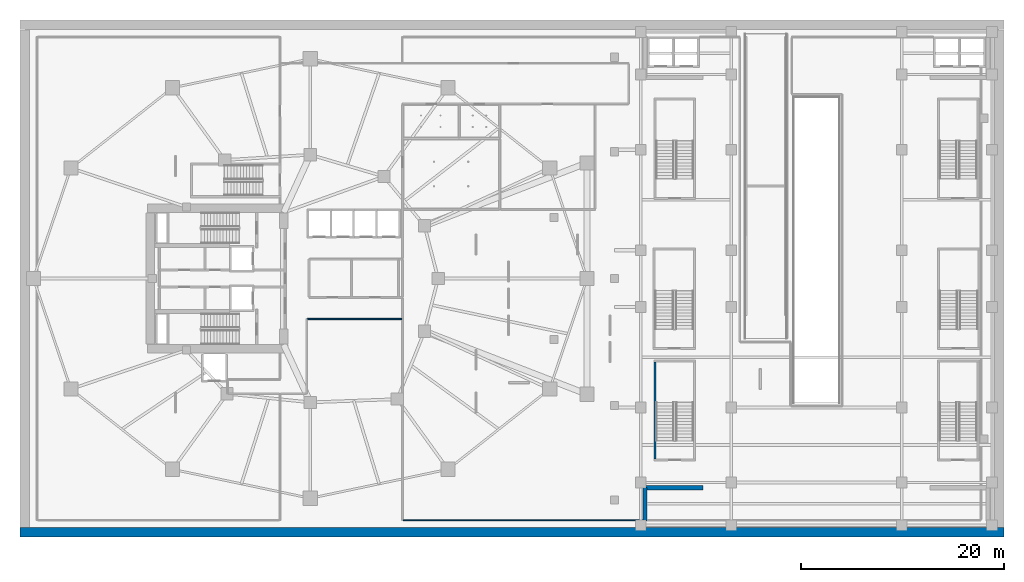
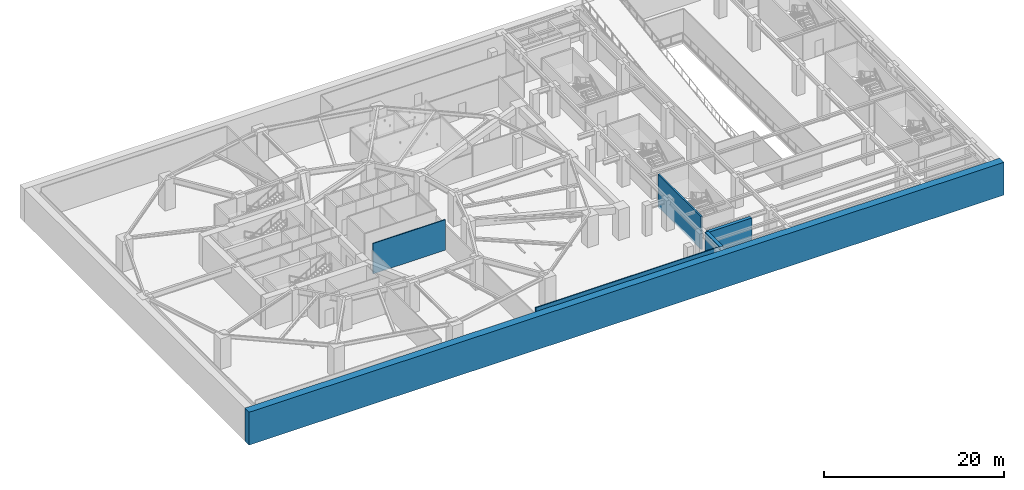
# One storey, part 6 of 16: 6 walls.
"""IFC4 building model written with IfcOpenShell, lengths in metres."""

from ifc_helpers import new_model, si_unit, direction, frame, frame_2d, origin, place, context, subcontext, project, spatial, rectangle, extrude, material, layer, layer_set, type_object, element, save


model = new_model("IFC4")

# Units and contexts
model_context = context("Model", 3, precision=1e-05, world=origin(), true_north=direction((0.0, 1.0)))
body_context = subcontext(model_context, "Body", "Model", "MODEL_VIEW")
ifc_project = project(units=[si_unit("LENGTHUNIT", "METRE"), si_unit("AREAUNIT", "SQUARE_METRE"), si_unit("VOLUMEUNIT", "CUBIC_METRE"), si_unit("PLANEANGLEUNIT", "RADIAN"), si_unit("MASSUNIT", "GRAM", prefix="KILO")], contexts=[model_context])

# Site, building, storey
site_placement = place(None, origin())
site = spatial("IfcSite", under=ifc_project, at=site_placement, CompositionType="ELEMENT")
building_placement = place(site_placement, origin())
building = spatial("IfcBuilding", under=site, at=building_placement, Name="Kolvaren Gate Tower and Convention Centre", CompositionType="ELEMENT")
storey_placement = place(building_placement, frame((0.0, 0.0, -4.5)))
storey = spatial("IfcBuildingStorey", under=building, at=storey_placement, Name="B1", CompositionType="ELEMENT", Elevation=-4.5)

# Walls
ifc_material_1 = material(Name="Fire-Rated Acoustic Gypsum Stud Partition", Category="gypsum")
ifc_layer_1 = layer(ifc_material_1, 0.1201171875)
ifc_layer_set_1 = layer_set([ifc_layer_1], Name="Fire-Rated Acoustic Gypsum Stud Partition")
wall_type_1 = type_object("IfcWallType", Name="ARCH-WL-PART-120", PredefinedType="PARTITIONING", material=ifc_layer_set_1)
wall_1_placement = place(storey_placement, frame((29.842041015625, 23.02001953125, 0.0), z_axis=(0.0, 0.0, 1.0), x_axis=(1.0, 0.0, 0.0)))
element("IfcWall", 1, at=wall_1_placement, inside=storey, type_object=wall_type_1, Name="Interior Partition WL-B1-INT-026", PredefinedType="PARTITIONING", context=body_context, shape_type="SweptSolid", body=[
    extrude(rectangle(XDim=9.281005859375, YDim=0.1201171875, at=frame_2d((4.640625, 0.0))), origin(), (0.0, 0.0, 1.0), 4.139892578125),
])
wall_2_placement = place(storey_placement, frame((39.277099609375, 3.199951171875, 0.0), z_axis=(0.0, 0.0, 1.0), x_axis=(1.0, 0.0, 0.0)))
element("IfcWall", 2, at=wall_2_placement, inside=storey, type_object=wall_type_1, Name="Interior Partition WL-B1-INT-034", PredefinedType="PARTITIONING", context=body_context, shape_type="SweptSolid", body=[
    extrude(rectangle(XDim=23.61083984375, YDim=0.1201171875, at=frame_2d((11.805419921875, 0.0))), origin(), (0.0, 0.0, 1.0), 4.139892578125),
])
ifc_material_2 = material(Name="Concrete C50/60", Category="concrete")
ifc_layer_2 = layer(ifc_material_2, 0.419921875)
ifc_layer_set_2 = layer_set([ifc_layer_2], Name="Concrete C50/60")
wall_type_2 = type_object("IfcWallType", Name="STR-WL-CONV-420", PredefinedType="SHEAR", material=ifc_layer_set_2)
wall_3_placement = place(storey_placement, frame((63.10009765625, 3.10009765625, -0.320068359375), z_axis=(0.0, 0.0, 1.0), x_axis=(0.0, 1.0, 0.0)))
element("IfcWall", 3, at=wall_3_placement, inside=storey, type_object=wall_type_2, Name="Convention B1 Shear Core Wall CCSW-W", PredefinedType="SHEAR", context=body_context, shape_type="SweptSolid", body=[
    extrude(rectangle(XDim=3.2998046875, YDim=0.419921875, at=frame_2d((1.64990234375, 0.0))), origin(), (0.0, 0.0, 1.0), 4.4599609375),
])
wall_4_placement = place(storey_placement, frame((63.10009765625, 6.39990234375, -0.320068359375), z_axis=(0.0, 0.0, 1.0), x_axis=(1.0, 0.0, 0.0)))
element("IfcWall", 4, at=wall_4_placement, inside=storey, type_object=wall_type_2, Name="Convention B1 Shear Core Wall CCSW-N", PredefinedType="SHEAR", context=body_context, shape_type="SweptSolid", body=[
    extrude(rectangle(XDim=5.699951171875, YDim=0.419921875, at=frame_2d((2.85009765625, 0.0))), origin(), (0.0, 0.0, 1.0), 4.4599609375),
])
ifc_layer_3 = layer(ifc_material_2, 0.949951171875)
ifc_layer_set_3 = layer_set([ifc_layer_3], Name="Concrete C50/60")
wall_type_3 = type_object("IfcWallType", Name="STR-WL-DIAPH-950", PredefinedType="USERDEFINED", material=ifc_layer_set_3)
wall_5_placement = place(storey_placement, frame((1.52490234375, 2.0, -0.320068359375), z_axis=(0.0, 0.0, 1.0), x_axis=(1.0, 0.0, 0.0)))
element("IfcWall", 5, at=wall_5_placement, inside=storey, type_object=wall_type_3, Name="Basement B1 S Perimeter Diaphragm Wall", ObjectType="RETAINING WALL", PredefinedType="USERDEFINED", context=body_context, shape_type="SweptSolid", body=[
    extrude(rectangle(XDim=96.9501953125, YDim=0.949951171875, at=frame_2d((48.47509765625, 0.0))), origin(), (0.0, 0.0, 1.0), 4.4599609375),
])
ifc_layer_4 = layer(ifc_material_2, 0.199951171875)
ifc_layer_set_4 = layer_set([ifc_layer_4], Name="Concrete C50/60")
wall_type_4 = type_object("IfcWallType", Name="STR-WL-SHAFT-200", PredefinedType="SHEAR", material=ifc_layer_set_4)
wall_6_placement = place(storey_placement, frame((64.10009765625, 9.201904296875, -0.320068359375), z_axis=(0.0, 0.0, 1.0), x_axis=(0.0, 1.0, 0.0)))
element("IfcWall", 6, at=wall_6_placement, inside=storey, type_object=wall_type_4, Name="Convention SW Exit Stair ST-C2 B1 Structural Shear Enclosure Wall WEST", PredefinedType="SHEAR", context=body_context, shape_type="SweptSolid", body=[
    extrude(rectangle(XDim=9.59619140625, YDim=0.199951171875, at=frame_2d((4.798095703125, 0.0))), origin(), (0.0, 0.0, 1.0), 4.4599609375),
])

save(model, "model.ifc")
